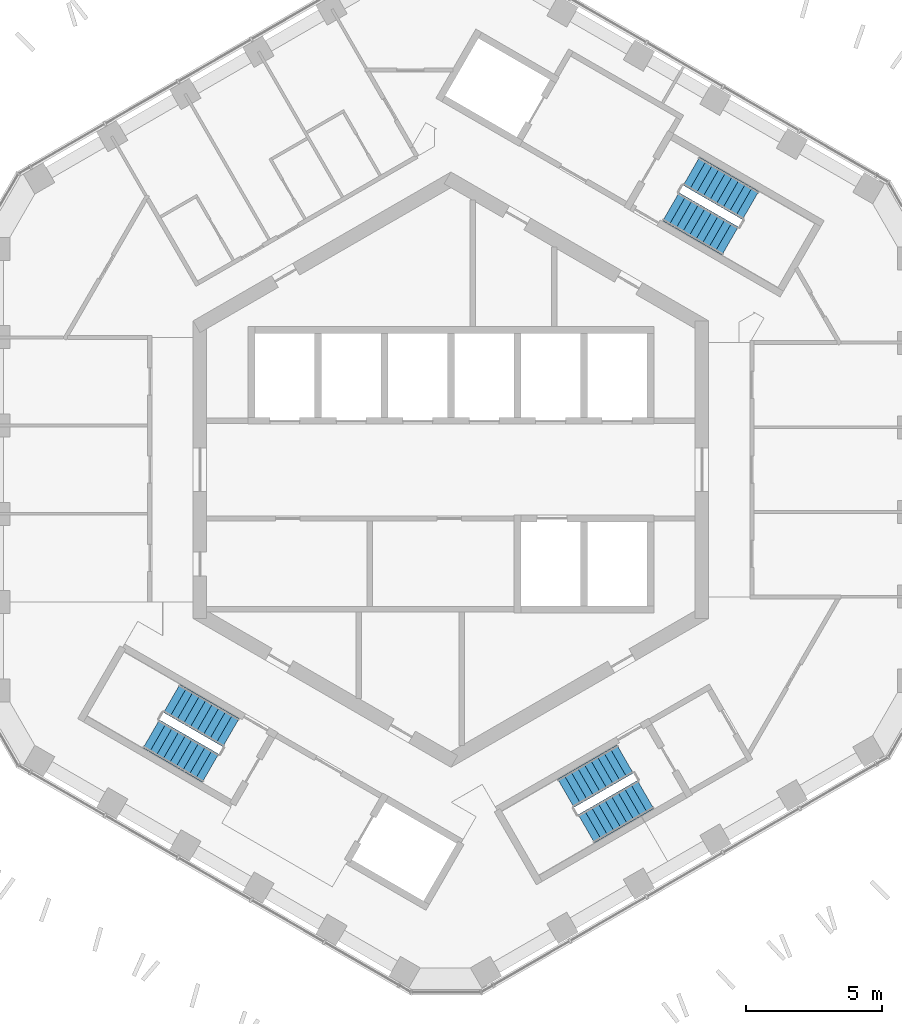
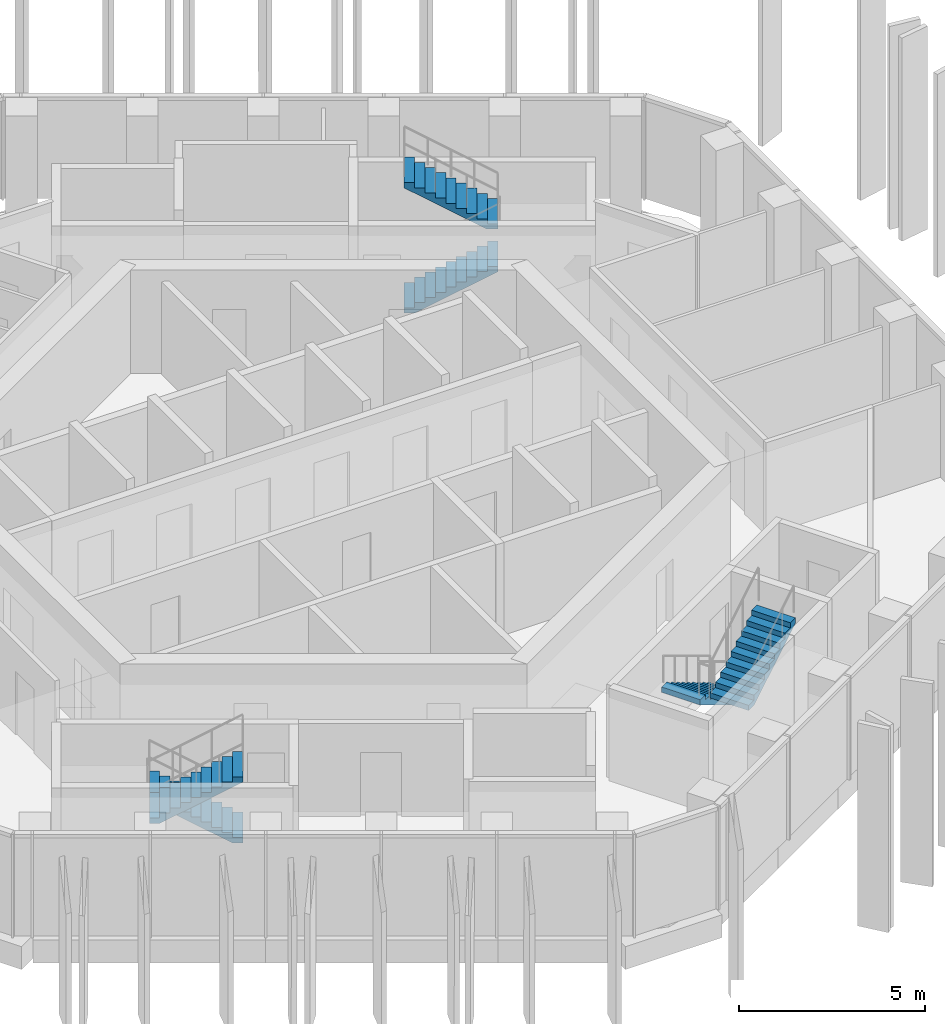
# One storey, part 15 of 18: 6 stair flights, 3 elements without a shape of their own.
"""IFC4 building model written with IfcOpenShell, lengths in metres."""

from ifc_helpers import new_model, si_unit, direction, frame, origin, place, context, subcontext, project, spatial, triangles, material, type_object, element, aggregate, save


model = new_model("IFC4")

# Units and contexts
model_context = context("Model", 3, precision=1e-05, world=origin(), true_north=direction((0.0, 1.0)))
body_context = subcontext(model_context, "Body", "Model", "MODEL_VIEW")
ifc_project = project(units=[si_unit("LENGTHUNIT", "METRE"), si_unit("AREAUNIT", "SQUARE_METRE"), si_unit("VOLUMEUNIT", "CUBIC_METRE"), si_unit("PLANEANGLEUNIT", "RADIAN"), si_unit("MASSUNIT", "GRAM", prefix="KILO")], contexts=[model_context])

# Site, building, storey
site_placement = place(None, origin())
site = spatial("IfcSite", under=ifc_project, at=site_placement, CompositionType="ELEMENT")
building_placement = place(site_placement, origin())
building = spatial("IfcBuilding", under=site, at=building_placement, Name="Ayvan Gate Tower", CompositionType="ELEMENT")
storey_placement = place(building_placement, frame((0.0, 0.0, 229.10009765625)))
storey = spatial("IfcBuildingStorey", under=building, at=storey_placement, Name="L61", CompositionType="ELEMENT", Elevation=229.10009765625)

# Stair, stair flights
ifc_material = material(Name="Concrete C40/50", Category="concrete")
stair_type = type_object("IfcStairType", Name="ST-EXIT", PredefinedType="HALF_TURN_STAIR", material=ifc_material)
stair_1_placement = place(storey_placement, origin())
stair_1 = element("IfcStair", 1, at=stair_1_placement, inside=storey, type_object=stair_type, Name="L61 Exit Stair S1", PredefinedType="HALF_TURN_STAIR")
stair_flight_type = type_object("IfcStairFlightType", Name="SFL-EXIT", PredefinedType="STRAIGHT", material=ifc_material)
stair_flight_1_placement = place(storey_placement, frame((8.106201171875, 9.690185546875, 0.0), z_axis=(0.0, 0.0, 1.0), x_axis=(0.866025403784, -0.5, 0.0)))
stair_flight_1 = element("IfcStairFlight", 2, at=stair_flight_1_placement, type_object=stair_flight_type, Name="STS1 flight 1", NumberOfRisers=10, NumberOfTreads=9, PredefinedType="STRAIGHT", RiserHeight=0.17, TreadLength=0.28, context=body_context, shape_type="Tessellation", body=[
    triangles([(0.288841, -0.599976, 0.0), (2.5205, -0.599976, 1.354936), (2.5205, -0.599976, 1.53), (2.24, -0.599976, 1.53), (2.24, -0.599976, 1.36), (1.96, -0.599976, 1.36), (1.96, -0.599976, 1.19), (1.68, -0.599976, 1.19), (1.68, -0.599976, 1.02), (1.4, -0.599976, 1.02), (1.4, -0.599976, 0.85), (1.12, -0.599976, 0.85), (1.12, -0.599976, 0.68), (0.84, -0.599976, 0.68), (0.84, -0.599976, 0.51), (0.56, -0.599976, 0.51), (0.56, -0.599976, 0.34), (0.28, -0.599976, 0.34), (0.28, -0.599976, 0.17), (-0.0005, -0.599976, 0.17), (-0.0005, -0.599976, 0.0), (0.288841, 0.0, 0.0), (2.5205, 0.0, 1.354936), (2.5205, 0.0, 1.53), (2.24, 0.0, 1.53), (2.24, 0.0, 1.36), (1.96, 0.0, 1.36), (1.96, 0.0, 1.19), (1.68, 0.0, 1.19), (1.68, 0.0, 1.02), (1.4, 0.0, 1.02), (1.4, 0.0, 0.85), (1.12, 0.0, 0.85), (1.12, 0.0, 0.68), (0.84, 0.0, 0.68), (0.84, 0.0, 0.51), (0.56, 0.0, 0.51), (0.56, 0.0, 0.34), (0.28, 0.0, 0.34), (0.28, 0.0, 0.17), (-0.0005, 0.0, 0.17), (-0.0005, 0.0, 0.0), (0.288841, 0.599976, 0.0), (2.5205, 0.599976, 1.354936), (2.5205, 0.599976, 1.53), (2.24, 0.599976, 1.53), (2.24, 0.599976, 1.36), (1.96, 0.599976, 1.36), (1.96, 0.599976, 1.19), (1.68, 0.599976, 1.19), (1.68, 0.599976, 1.02), (1.4, 0.599976, 1.02), (1.4, 0.599976, 0.85), (1.12, 0.599976, 0.85), (1.12, 0.599976, 0.68), (0.84, 0.599976, 0.68), (0.84, 0.599976, 0.51), (0.56, 0.599976, 0.51), (0.56, 0.599976, 0.34), (0.28, 0.599976, 0.34), (0.28, 0.599976, 0.17), (-0.0005, 0.599976, 0.17), (-0.0005, 0.599976, 0.0)], [[21, 1, 2], [63, 44, 43], [2, 3, 4], [44, 46, 45], [2, 4, 5], [44, 47, 46], [2, 5, 6], [44, 48, 47], [2, 6, 7], [44, 49, 48], [7, 8, 9], [49, 51, 50], [2, 7, 9], [44, 51, 49], [9, 10, 11], [51, 53, 52], [2, 9, 11], [44, 53, 51], [11, 12, 13], [53, 55, 54], [2, 11, 13], [44, 55, 53], [13, 14, 15], [55, 57, 56], [2, 13, 15], [44, 57, 55], [15, 16, 17], [57, 59, 58], [2, 15, 17], [44, 59, 57], [17, 18, 19], [59, 61, 60], [2, 17, 19], [44, 61, 59], [21, 2, 19], [63, 61, 44], [19, 20, 21], [61, 63, 62], [1, 22, 23], [1, 23, 2], [43, 23, 22], [43, 44, 23], [2, 23, 24], [2, 24, 3], [44, 24, 23], [44, 45, 24], [3, 24, 25], [3, 25, 4], [45, 25, 24], [45, 46, 25], [4, 25, 26], [4, 26, 5], [46, 26, 25], [46, 47, 26], [5, 26, 27], [5, 27, 6], [47, 27, 26], [47, 48, 27], [6, 27, 28], [6, 28, 7], [48, 28, 27], [48, 49, 28], [7, 28, 29], [7, 29, 8], [49, 29, 28], [49, 50, 29], [8, 29, 30], [8, 30, 9], [50, 30, 29], [50, 51, 30], [9, 30, 31], [9, 31, 10], [51, 31, 30], [51, 52, 31], [10, 31, 32], [10, 32, 11], [52, 32, 31], [52, 53, 32], [11, 32, 33], [11, 33, 12], [53, 33, 32], [53, 54, 33], [12, 33, 34], [12, 34, 13], [54, 34, 33], [54, 55, 34], [13, 34, 35], [13, 35, 14], [55, 35, 34], [55, 56, 35], [14, 35, 36], [14, 36, 15], [56, 36, 35], [56, 57, 36], [15, 36, 37], [15, 37, 16], [57, 37, 36], [57, 58, 37], [16, 37, 38], [16, 38, 17], [58, 38, 37], [58, 59, 38], [17, 38, 39], [17, 39, 18], [59, 39, 38], [59, 60, 39], [18, 39, 40], [18, 40, 19], [60, 40, 39], [60, 61, 40], [19, 40, 41], [19, 41, 20], [61, 41, 40], [61, 62, 41], [20, 41, 42], [20, 42, 21], [62, 42, 41], [62, 63, 42], [21, 42, 22], [21, 22, 1], [63, 22, 42], [63, 43, 22]], closed=True),
])
stair_flight_2_placement = place(storey_placement, frame((11.04345703125, 9.73779296875, 1.699951171875), z_axis=(0.0, 0.0, 1.0), x_axis=(-0.866025403784, 0.5, 0.0)))
stair_flight_2 = element("IfcStairFlight", 3, at=stair_flight_2_placement, type_object=stair_flight_type, Name="STS1 flight 2", NumberOfRisers=10, NumberOfTreads=9, PredefinedType="STRAIGHT", RiserHeight=0.17, TreadLength=0.28, context=body_context, shape_type="Tessellation", body=[
    triangles([(0.288841, -0.599976, 0.0), (2.5205, -0.599976, 1.354936), (2.5205, -0.599976, 1.53), (2.24, -0.599976, 1.53), (2.24, -0.599976, 1.36), (1.96, -0.599976, 1.36), (1.96, -0.599976, 1.19), (1.68, -0.599976, 1.19), (1.68, -0.599976, 1.02), (1.4, -0.599976, 1.02), (1.4, -0.599976, 0.85), (1.12, -0.599976, 0.85), (1.12, -0.599976, 0.68), (0.84, -0.599976, 0.68), (0.84, -0.599976, 0.51), (0.56, -0.599976, 0.51), (0.56, -0.599976, 0.34), (0.28, -0.599976, 0.34), (0.28, -0.599976, 0.17), (-0.0005, -0.599976, 0.17), (-0.0005, -0.599976, 0.0), (0.288841, 0.0, 0.0), (2.5205, 0.0, 1.354936), (2.5205, 0.0, 1.53), (2.24, 0.0, 1.53), (2.24, 0.0, 1.36), (1.96, 0.0, 1.36), (1.96, 0.0, 1.19), (1.68, 0.0, 1.19), (1.68, 0.0, 1.02), (1.4, 0.0, 1.02), (1.4, 0.0, 0.85), (1.12, 0.0, 0.85), (1.12, 0.0, 0.68), (0.84, 0.0, 0.68), (0.84, 0.0, 0.51), (0.56, 0.0, 0.51), (0.56, 0.0, 0.34), (0.28, 0.0, 0.34), (0.28, 0.0, 0.17), (-0.0005, 0.0, 0.17), (-0.0005, 0.0, 0.0), (0.288841, 0.599976, 0.0), (2.5205, 0.599976, 1.354936), (2.5205, 0.599976, 1.53), (2.24, 0.599976, 1.53), (2.24, 0.599976, 1.36), (1.96, 0.599976, 1.36), (1.96, 0.599976, 1.19), (1.68, 0.599976, 1.19), (1.68, 0.599976, 1.02), (1.4, 0.599976, 1.02), (1.4, 0.599976, 0.85), (1.12, 0.599976, 0.85), (1.12, 0.599976, 0.68), (0.84, 0.599976, 0.68), (0.84, 0.599976, 0.51), (0.56, 0.599976, 0.51), (0.56, 0.599976, 0.34), (0.28, 0.599976, 0.34), (0.28, 0.599976, 0.17), (-0.0005, 0.599976, 0.17), (-0.0005, 0.599976, 0.0)], [[21, 1, 2], [63, 44, 43], [2, 3, 4], [44, 46, 45], [2, 4, 5], [44, 47, 46], [2, 5, 6], [44, 48, 47], [2, 6, 7], [44, 49, 48], [7, 8, 9], [49, 51, 50], [2, 7, 9], [44, 51, 49], [9, 10, 11], [51, 53, 52], [2, 9, 11], [44, 53, 51], [11, 12, 13], [53, 55, 54], [2, 11, 13], [44, 55, 53], [13, 14, 15], [55, 57, 56], [2, 13, 15], [44, 57, 55], [15, 16, 17], [57, 59, 58], [2, 15, 17], [44, 59, 57], [17, 18, 19], [59, 61, 60], [2, 17, 19], [44, 61, 59], [21, 2, 19], [63, 61, 44], [19, 20, 21], [61, 63, 62], [1, 22, 23], [1, 23, 2], [43, 23, 22], [43, 44, 23], [2, 23, 24], [2, 24, 3], [44, 24, 23], [44, 45, 24], [3, 24, 25], [3, 25, 4], [45, 25, 24], [45, 46, 25], [4, 25, 26], [4, 26, 5], [46, 26, 25], [46, 47, 26], [5, 26, 27], [5, 27, 6], [47, 27, 26], [47, 48, 27], [6, 27, 28], [6, 28, 7], [48, 28, 27], [48, 49, 28], [7, 28, 29], [7, 29, 8], [49, 29, 28], [49, 50, 29], [8, 29, 30], [8, 30, 9], [50, 30, 29], [50, 51, 30], [9, 30, 31], [9, 31, 10], [51, 31, 30], [51, 52, 31], [10, 31, 32], [10, 32, 11], [52, 32, 31], [52, 53, 32], [11, 32, 33], [11, 33, 12], [53, 33, 32], [53, 54, 33], [12, 33, 34], [12, 34, 13], [54, 34, 33], [54, 55, 34], [13, 34, 35], [13, 35, 14], [55, 35, 34], [55, 56, 35], [14, 35, 36], [14, 36, 15], [56, 36, 35], [56, 57, 36], [15, 36, 37], [15, 37, 16], [57, 37, 36], [57, 58, 37], [16, 37, 38], [16, 38, 17], [58, 38, 37], [58, 59, 38], [17, 38, 39], [17, 39, 18], [59, 39, 38], [59, 60, 39], [18, 39, 40], [18, 40, 19], [60, 40, 39], [60, 61, 40], [19, 40, 41], [19, 41, 20], [61, 41, 40], [61, 62, 41], [20, 41, 42], [20, 42, 21], [62, 42, 41], [62, 63, 42], [21, 42, 22], [21, 22, 1], [63, 22, 42], [63, 43, 22]], closed=True),
])
aggregate(stair_1, [stair_flight_1, stair_flight_2])

stair_2_placement = place(storey_placement, origin())
stair_2 = element("IfcStair", 4, at=stair_2_placement, inside=storey, type_object=stair_type, Name="L61 Exit Stair S2", PredefinedType="HALF_TURN_STAIR")
stair_flight_3_placement = place(storey_placement, frame((-8.106201171875, -9.690185546875, 0.0), z_axis=(0.0, 0.0, 1.0), x_axis=(-0.866025403784, 0.5, 0.0)))
stair_flight_3 = element("IfcStairFlight", 5, at=stair_flight_3_placement, type_object=stair_flight_type, Name="STS2 flight 1", NumberOfRisers=10, NumberOfTreads=9, PredefinedType="STRAIGHT", RiserHeight=0.17, TreadLength=0.28, context=body_context, shape_type="Tessellation", body=[
    triangles([(0.288841, -0.599976, 0.0), (2.5205, -0.599976, 1.354936), (2.5205, -0.599976, 1.53), (2.24, -0.599976, 1.53), (2.24, -0.599976, 1.36), (1.96, -0.599976, 1.36), (1.96, -0.599976, 1.19), (1.68, -0.599976, 1.19), (1.68, -0.599976, 1.02), (1.4, -0.599976, 1.02), (1.4, -0.599976, 0.85), (1.12, -0.599976, 0.85), (1.12, -0.599976, 0.68), (0.84, -0.599976, 0.68), (0.84, -0.599976, 0.51), (0.56, -0.599976, 0.51), (0.56, -0.599976, 0.34), (0.28, -0.599976, 0.34), (0.28, -0.599976, 0.17), (-0.0005, -0.599976, 0.17), (-0.0005, -0.599976, 0.0), (0.288841, 0.0, 0.0), (2.5205, 0.0, 1.354936), (2.5205, 0.0, 1.53), (2.24, 0.0, 1.53), (2.24, 0.0, 1.36), (1.96, 0.0, 1.36), (1.96, 0.0, 1.19), (1.68, 0.0, 1.19), (1.68, 0.0, 1.02), (1.4, 0.0, 1.02), (1.4, 0.0, 0.85), (1.12, 0.0, 0.85), (1.12, 0.0, 0.68), (0.84, 0.0, 0.68), (0.84, 0.0, 0.51), (0.56, 0.0, 0.51), (0.56, 0.0, 0.34), (0.28, 0.0, 0.34), (0.28, 0.0, 0.17), (-0.0005, 0.0, 0.17), (-0.0005, 0.0, 0.0), (0.288841, 0.599976, 0.0), (2.5205, 0.599976, 1.354936), (2.5205, 0.599976, 1.53), (2.24, 0.599976, 1.53), (2.24, 0.599976, 1.36), (1.96, 0.599976, 1.36), (1.96, 0.599976, 1.19), (1.68, 0.599976, 1.19), (1.68, 0.599976, 1.02), (1.4, 0.599976, 1.02), (1.4, 0.599976, 0.85), (1.12, 0.599976, 0.85), (1.12, 0.599976, 0.68), (0.84, 0.599976, 0.68), (0.84, 0.599976, 0.51), (0.56, 0.599976, 0.51), (0.56, 0.599976, 0.34), (0.28, 0.599976, 0.34), (0.28, 0.599976, 0.17), (-0.0005, 0.599976, 0.17), (-0.0005, 0.599976, 0.0)], [[21, 1, 2], [63, 44, 43], [2, 3, 4], [44, 46, 45], [2, 4, 5], [44, 47, 46], [2, 5, 6], [44, 48, 47], [2, 6, 7], [44, 49, 48], [7, 8, 9], [49, 51, 50], [2, 7, 9], [44, 51, 49], [9, 10, 11], [51, 53, 52], [2, 9, 11], [44, 53, 51], [11, 12, 13], [53, 55, 54], [2, 11, 13], [44, 55, 53], [13, 14, 15], [55, 57, 56], [2, 13, 15], [44, 57, 55], [15, 16, 17], [57, 59, 58], [2, 15, 17], [44, 59, 57], [17, 18, 19], [59, 61, 60], [2, 17, 19], [44, 61, 59], [21, 2, 19], [63, 61, 44], [19, 20, 21], [61, 63, 62], [1, 22, 23], [1, 23, 2], [43, 23, 22], [43, 44, 23], [2, 23, 24], [2, 24, 3], [44, 24, 23], [44, 45, 24], [3, 24, 25], [3, 25, 4], [45, 25, 24], [45, 46, 25], [4, 25, 26], [4, 26, 5], [46, 26, 25], [46, 47, 26], [5, 26, 27], [5, 27, 6], [47, 27, 26], [47, 48, 27], [6, 27, 28], [6, 28, 7], [48, 28, 27], [48, 49, 28], [7, 28, 29], [7, 29, 8], [49, 29, 28], [49, 50, 29], [8, 29, 30], [8, 30, 9], [50, 30, 29], [50, 51, 30], [9, 30, 31], [9, 31, 10], [51, 31, 30], [51, 52, 31], [10, 31, 32], [10, 32, 11], [52, 32, 31], [52, 53, 32], [11, 32, 33], [11, 33, 12], [53, 33, 32], [53, 54, 33], [12, 33, 34], [12, 34, 13], [54, 34, 33], [54, 55, 34], [13, 34, 35], [13, 35, 14], [55, 35, 34], [55, 56, 35], [14, 35, 36], [14, 36, 15], [56, 36, 35], [56, 57, 36], [15, 36, 37], [15, 37, 16], [57, 37, 36], [57, 58, 37], [16, 37, 38], [16, 38, 17], [58, 38, 37], [58, 59, 38], [17, 38, 39], [17, 39, 18], [59, 39, 38], [59, 60, 39], [18, 39, 40], [18, 40, 19], [60, 40, 39], [60, 61, 40], [19, 40, 41], [19, 41, 20], [61, 41, 40], [61, 62, 41], [20, 41, 42], [20, 42, 21], [62, 42, 41], [62, 63, 42], [21, 42, 22], [21, 22, 1], [63, 22, 42], [63, 43, 22]], closed=True),
])
stair_flight_4_placement = place(storey_placement, frame((-11.04345703125, -9.73779296875, 1.699951171875), z_axis=(0.0, 0.0, 1.0), x_axis=(0.866025403784, -0.5, 0.0)))
stair_flight_4 = element("IfcStairFlight", 6, at=stair_flight_4_placement, type_object=stair_flight_type, Name="STS2 flight 2", NumberOfRisers=10, NumberOfTreads=9, PredefinedType="STRAIGHT", RiserHeight=0.17, TreadLength=0.28, context=body_context, shape_type="Tessellation", body=[
    triangles([(0.288841, -0.599976, 0.0), (2.5205, -0.599976, 1.354936), (2.5205, -0.599976, 1.53), (2.24, -0.599976, 1.53), (2.24, -0.599976, 1.36), (1.96, -0.599976, 1.36), (1.96, -0.599976, 1.19), (1.68, -0.599976, 1.19), (1.68, -0.599976, 1.02), (1.4, -0.599976, 1.02), (1.4, -0.599976, 0.85), (1.12, -0.599976, 0.85), (1.12, -0.599976, 0.68), (0.84, -0.599976, 0.68), (0.84, -0.599976, 0.51), (0.56, -0.599976, 0.51), (0.56, -0.599976, 0.34), (0.28, -0.599976, 0.34), (0.28, -0.599976, 0.17), (-0.0005, -0.599976, 0.17), (-0.0005, -0.599976, 0.0), (0.288841, 0.0, 0.0), (2.5205, 0.0, 1.354936), (2.5205, 0.0, 1.53), (2.24, 0.0, 1.53), (2.24, 0.0, 1.36), (1.96, 0.0, 1.36), (1.96, 0.0, 1.19), (1.68, 0.0, 1.19), (1.68, 0.0, 1.02), (1.4, 0.0, 1.02), (1.4, 0.0, 0.85), (1.12, 0.0, 0.85), (1.12, 0.0, 0.68), (0.84, 0.0, 0.68), (0.84, 0.0, 0.51), (0.56, 0.0, 0.51), (0.56, 0.0, 0.34), (0.28, 0.0, 0.34), (0.28, 0.0, 0.17), (-0.0005, 0.0, 0.17), (-0.0005, 0.0, 0.0), (0.288841, 0.599976, 0.0), (2.5205, 0.599976, 1.354936), (2.5205, 0.599976, 1.53), (2.24, 0.599976, 1.53), (2.24, 0.599976, 1.36), (1.96, 0.599976, 1.36), (1.96, 0.599976, 1.19), (1.68, 0.599976, 1.19), (1.68, 0.599976, 1.02), (1.4, 0.599976, 1.02), (1.4, 0.599976, 0.85), (1.12, 0.599976, 0.85), (1.12, 0.599976, 0.68), (0.84, 0.599976, 0.68), (0.84, 0.599976, 0.51), (0.56, 0.599976, 0.51), (0.56, 0.599976, 0.34), (0.28, 0.599976, 0.34), (0.28, 0.599976, 0.17), (-0.0005, 0.599976, 0.17), (-0.0005, 0.599976, 0.0)], [[21, 1, 2], [63, 44, 43], [2, 3, 4], [44, 46, 45], [2, 4, 5], [44, 47, 46], [2, 5, 6], [44, 48, 47], [2, 6, 7], [44, 49, 48], [7, 8, 9], [49, 51, 50], [2, 7, 9], [44, 51, 49], [9, 10, 11], [51, 53, 52], [2, 9, 11], [44, 53, 51], [11, 12, 13], [53, 55, 54], [2, 11, 13], [44, 55, 53], [13, 14, 15], [55, 57, 56], [2, 13, 15], [44, 57, 55], [15, 16, 17], [57, 59, 58], [2, 15, 17], [44, 59, 57], [17, 18, 19], [59, 61, 60], [2, 17, 19], [44, 61, 59], [21, 2, 19], [63, 61, 44], [19, 20, 21], [61, 63, 62], [1, 22, 23], [1, 23, 2], [43, 23, 22], [43, 44, 23], [2, 23, 24], [2, 24, 3], [44, 24, 23], [44, 45, 24], [3, 24, 25], [3, 25, 4], [45, 25, 24], [45, 46, 25], [4, 25, 26], [4, 26, 5], [46, 26, 25], [46, 47, 26], [5, 26, 27], [5, 27, 6], [47, 27, 26], [47, 48, 27], [6, 27, 28], [6, 28, 7], [48, 28, 27], [48, 49, 28], [7, 28, 29], [7, 29, 8], [49, 29, 28], [49, 50, 29], [8, 29, 30], [8, 30, 9], [50, 30, 29], [50, 51, 30], [9, 30, 31], [9, 31, 10], [51, 31, 30], [51, 52, 31], [10, 31, 32], [10, 32, 11], [52, 32, 31], [52, 53, 32], [11, 32, 33], [11, 33, 12], [53, 33, 32], [53, 54, 33], [12, 33, 34], [12, 34, 13], [54, 34, 33], [54, 55, 34], [13, 34, 35], [13, 35, 14], [55, 35, 34], [55, 56, 35], [14, 35, 36], [14, 36, 15], [56, 36, 35], [56, 57, 36], [15, 36, 37], [15, 37, 16], [57, 37, 36], [57, 58, 37], [16, 37, 38], [16, 38, 17], [58, 38, 37], [58, 59, 38], [17, 38, 39], [17, 39, 18], [59, 39, 38], [59, 60, 39], [18, 39, 40], [18, 40, 19], [60, 40, 39], [60, 61, 40], [19, 40, 41], [19, 41, 20], [61, 41, 40], [61, 62, 41], [20, 41, 42], [20, 42, 21], [62, 42, 41], [62, 63, 42], [21, 42, 22], [21, 22, 1], [63, 22, 42], [63, 43, 22]], closed=True),
])
aggregate(stair_2, [stair_flight_3, stair_flight_4])

stair_3_placement = place(storey_placement, origin())
stair_3 = element("IfcStair", 7, at=stair_3_placement, inside=storey, type_object=stair_type, Name="L61 Exit Stair S3", PredefinedType="HALF_TURN_STAIR")
stair_flight_5_placement = place(storey_placement, frame((6.417236328125, -10.665283203125, 0.0), z_axis=(0.0, 0.0, 1.0), x_axis=(-0.866025403784, -0.5, 0.0)))
stair_flight_5 = element("IfcStairFlight", 8, at=stair_flight_5_placement, type_object=stair_flight_type, Name="STS3 flight 1", NumberOfRisers=10, NumberOfTreads=9, PredefinedType="STRAIGHT", RiserHeight=0.17, TreadLength=0.28, context=body_context, shape_type="Tessellation", body=[
    triangles([(0.288841, -0.599976, 0.0), (2.5205, -0.599976, 1.354936), (2.5205, -0.599976, 1.53), (2.24, -0.599976, 1.53), (2.24, -0.599976, 1.36), (1.96, -0.599976, 1.36), (1.96, -0.599976, 1.19), (1.68, -0.599976, 1.19), (1.68, -0.599976, 1.02), (1.4, -0.599976, 1.02), (1.4, -0.599976, 0.85), (1.12, -0.599976, 0.85), (1.12, -0.599976, 0.68), (0.84, -0.599976, 0.68), (0.84, -0.599976, 0.51), (0.56, -0.599976, 0.51), (0.56, -0.599976, 0.34), (0.28, -0.599976, 0.34), (0.28, -0.599976, 0.17), (-0.0005, -0.599976, 0.17), (-0.0005, -0.599976, 0.0), (0.288841, 0.0, 0.0), (2.5205, 0.0, 1.354936), (2.5205, 0.0, 1.53), (2.24, 0.0, 1.53), (2.24, 0.0, 1.36), (1.96, 0.0, 1.36), (1.96, 0.0, 1.19), (1.68, 0.0, 1.19), (1.68, 0.0, 1.02), (1.4, 0.0, 1.02), (1.4, 0.0, 0.85), (1.12, 0.0, 0.85), (1.12, 0.0, 0.68), (0.84, 0.0, 0.68), (0.84, 0.0, 0.51), (0.56, 0.0, 0.51), (0.56, 0.0, 0.34), (0.28, 0.0, 0.34), (0.28, 0.0, 0.17), (-0.0005, 0.0, 0.17), (-0.0005, 0.0, 0.0), (0.288841, 0.599976, 0.0), (2.5205, 0.599976, 1.354936), (2.5205, 0.599976, 1.53), (2.24, 0.599976, 1.53), (2.24, 0.599976, 1.36), (1.96, 0.599976, 1.36), (1.96, 0.599976, 1.19), (1.68, 0.599976, 1.19), (1.68, 0.599976, 1.02), (1.4, 0.599976, 1.02), (1.4, 0.599976, 0.85), (1.12, 0.599976, 0.85), (1.12, 0.599976, 0.68), (0.84, 0.599976, 0.68), (0.84, 0.599976, 0.51), (0.56, 0.599976, 0.51), (0.56, 0.599976, 0.34), (0.28, 0.599976, 0.34), (0.28, 0.599976, 0.17), (-0.0005, 0.599976, 0.17), (-0.0005, 0.599976, 0.0)], [[21, 1, 2], [63, 44, 43], [2, 3, 4], [44, 46, 45], [2, 4, 5], [44, 47, 46], [2, 5, 6], [44, 48, 47], [2, 6, 7], [44, 49, 48], [7, 8, 9], [49, 51, 50], [2, 7, 9], [44, 51, 49], [9, 10, 11], [51, 53, 52], [2, 9, 11], [44, 53, 51], [11, 12, 13], [53, 55, 54], [2, 11, 13], [44, 55, 53], [13, 14, 15], [55, 57, 56], [2, 13, 15], [44, 57, 55], [15, 16, 17], [57, 59, 58], [2, 15, 17], [44, 59, 57], [17, 18, 19], [59, 61, 60], [2, 17, 19], [44, 61, 59], [21, 2, 19], [63, 61, 44], [19, 20, 21], [61, 63, 62], [1, 22, 23], [1, 23, 2], [43, 23, 22], [43, 44, 23], [2, 23, 24], [2, 24, 3], [44, 24, 23], [44, 45, 24], [3, 24, 25], [3, 25, 4], [45, 25, 24], [45, 46, 25], [4, 25, 26], [4, 26, 5], [46, 26, 25], [46, 47, 26], [5, 26, 27], [5, 27, 6], [47, 27, 26], [47, 48, 27], [6, 27, 28], [6, 28, 7], [48, 28, 27], [48, 49, 28], [7, 28, 29], [7, 29, 8], [49, 29, 28], [49, 50, 29], [8, 29, 30], [8, 30, 9], [50, 30, 29], [50, 51, 30], [9, 30, 31], [9, 31, 10], [51, 31, 30], [51, 52, 31], [10, 31, 32], [10, 32, 11], [52, 32, 31], [52, 53, 32], [11, 32, 33], [11, 33, 12], [53, 33, 32], [53, 54, 33], [12, 33, 34], [12, 34, 13], [54, 34, 33], [54, 55, 34], [13, 34, 35], [13, 35, 14], [55, 35, 34], [55, 56, 35], [14, 35, 36], [14, 36, 15], [56, 36, 35], [56, 57, 36], [15, 36, 37], [15, 37, 16], [57, 37, 36], [57, 58, 37], [16, 37, 38], [16, 38, 17], [58, 38, 37], [58, 59, 38], [17, 38, 39], [17, 39, 18], [59, 39, 38], [59, 60, 39], [18, 39, 40], [18, 40, 19], [60, 40, 39], [60, 61, 40], [19, 40, 41], [19, 41, 20], [61, 41, 40], [61, 62, 41], [20, 41, 42], [20, 42, 21], [62, 42, 41], [62, 63, 42], [21, 42, 22], [21, 22, 1], [63, 22, 42], [63, 43, 22]], closed=True),
])
stair_flight_6_placement = place(storey_placement, frame((4.989990234375, -13.23291015625, 1.699951171875), z_axis=(0.0, 0.0, 1.0), x_axis=(0.866025403784, 0.5, 0.0)))
stair_flight_6 = element("IfcStairFlight", 9, at=stair_flight_6_placement, type_object=stair_flight_type, Name="STS3 flight 2", NumberOfRisers=10, NumberOfTreads=9, PredefinedType="STRAIGHT", RiserHeight=0.17, TreadLength=0.28, context=body_context, shape_type="Tessellation", body=[
    triangles([(0.288841, -0.599976, 0.0), (2.5205, -0.599976, 1.354936), (2.5205, -0.599976, 1.53), (2.24, -0.599976, 1.53), (2.24, -0.599976, 1.36), (1.96, -0.599976, 1.36), (1.96, -0.599976, 1.19), (1.68, -0.599976, 1.19), (1.68, -0.599976, 1.02), (1.4, -0.599976, 1.02), (1.4, -0.599976, 0.85), (1.12, -0.599976, 0.85), (1.12, -0.599976, 0.68), (0.84, -0.599976, 0.68), (0.84, -0.599976, 0.51), (0.56, -0.599976, 0.51), (0.56, -0.599976, 0.34), (0.28, -0.599976, 0.34), (0.28, -0.599976, 0.17), (-0.0005, -0.599976, 0.17), (-0.0005, -0.599976, 0.0), (0.288841, 0.0, 0.0), (2.5205, 0.0, 1.354936), (2.5205, 0.0, 1.53), (2.24, 0.0, 1.53), (2.24, 0.0, 1.36), (1.96, 0.0, 1.36), (1.96, 0.0, 1.19), (1.68, 0.0, 1.19), (1.68, 0.0, 1.02), (1.4, 0.0, 1.02), (1.4, 0.0, 0.85), (1.12, 0.0, 0.85), (1.12, 0.0, 0.68), (0.84, 0.0, 0.68), (0.84, 0.0, 0.51), (0.56, 0.0, 0.51), (0.56, 0.0, 0.34), (0.28, 0.0, 0.34), (0.28, 0.0, 0.17), (-0.0005, 0.0, 0.17), (-0.0005, 0.0, 0.0), (0.288841, 0.599976, 0.0), (2.5205, 0.599976, 1.354936), (2.5205, 0.599976, 1.53), (2.24, 0.599976, 1.53), (2.24, 0.599976, 1.36), (1.96, 0.599976, 1.36), (1.96, 0.599976, 1.19), (1.68, 0.599976, 1.19), (1.68, 0.599976, 1.02), (1.4, 0.599976, 1.02), (1.4, 0.599976, 0.85), (1.12, 0.599976, 0.85), (1.12, 0.599976, 0.68), (0.84, 0.599976, 0.68), (0.84, 0.599976, 0.51), (0.56, 0.599976, 0.51), (0.56, 0.599976, 0.34), (0.28, 0.599976, 0.34), (0.28, 0.599976, 0.17), (-0.0005, 0.599976, 0.17), (-0.0005, 0.599976, 0.0)], [[21, 1, 2], [63, 44, 43], [2, 3, 4], [44, 46, 45], [2, 4, 5], [44, 47, 46], [2, 5, 6], [44, 48, 47], [2, 6, 7], [44, 49, 48], [7, 8, 9], [49, 51, 50], [2, 7, 9], [44, 51, 49], [9, 10, 11], [51, 53, 52], [2, 9, 11], [44, 53, 51], [11, 12, 13], [53, 55, 54], [2, 11, 13], [44, 55, 53], [13, 14, 15], [55, 57, 56], [2, 13, 15], [44, 57, 55], [15, 16, 17], [57, 59, 58], [2, 15, 17], [44, 59, 57], [17, 18, 19], [59, 61, 60], [2, 17, 19], [44, 61, 59], [21, 2, 19], [63, 61, 44], [19, 20, 21], [61, 63, 62], [1, 22, 23], [1, 23, 2], [43, 23, 22], [43, 44, 23], [2, 23, 24], [2, 24, 3], [44, 24, 23], [44, 45, 24], [3, 24, 25], [3, 25, 4], [45, 25, 24], [45, 46, 25], [4, 25, 26], [4, 26, 5], [46, 26, 25], [46, 47, 26], [5, 26, 27], [5, 27, 6], [47, 27, 26], [47, 48, 27], [6, 27, 28], [6, 28, 7], [48, 28, 27], [48, 49, 28], [7, 28, 29], [7, 29, 8], [49, 29, 28], [49, 50, 29], [8, 29, 30], [8, 30, 9], [50, 30, 29], [50, 51, 30], [9, 30, 31], [9, 31, 10], [51, 31, 30], [51, 52, 31], [10, 31, 32], [10, 32, 11], [52, 32, 31], [52, 53, 32], [11, 32, 33], [11, 33, 12], [53, 33, 32], [53, 54, 33], [12, 33, 34], [12, 34, 13], [54, 34, 33], [54, 55, 34], [13, 34, 35], [13, 35, 14], [55, 35, 34], [55, 56, 35], [14, 35, 36], [14, 36, 15], [56, 36, 35], [56, 57, 36], [15, 36, 37], [15, 37, 16], [57, 37, 36], [57, 58, 37], [16, 37, 38], [16, 38, 17], [58, 38, 37], [58, 59, 38], [17, 38, 39], [17, 39, 18], [59, 39, 38], [59, 60, 39], [18, 39, 40], [18, 40, 19], [60, 40, 39], [60, 61, 40], [19, 40, 41], [19, 41, 20], [61, 41, 40], [61, 62, 41], [20, 41, 42], [20, 42, 21], [62, 42, 41], [62, 63, 42], [21, 42, 22], [21, 22, 1], [63, 22, 42], [63, 43, 22]], closed=True),
])
aggregate(stair_3, [stair_flight_5, stair_flight_6])

save(model, "model.ifc")
